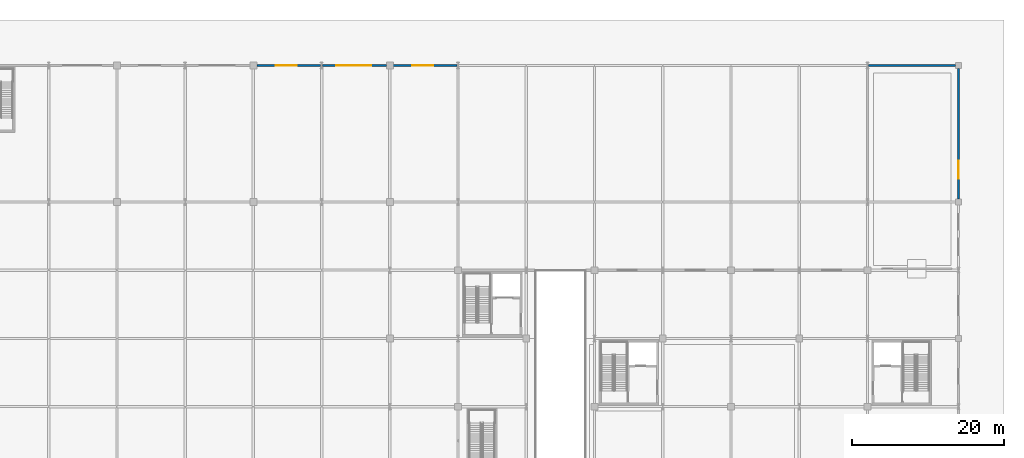
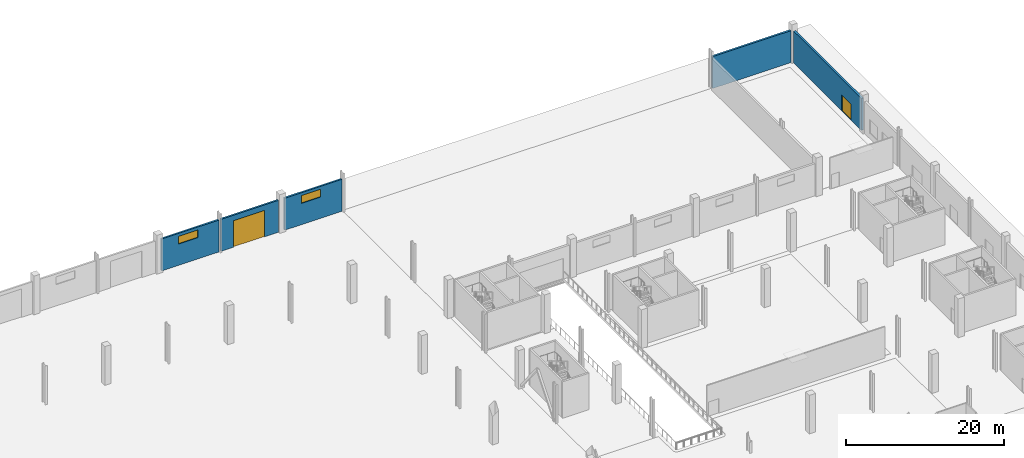
# One storey, part 39 of 58: 5 walls, 2 doors, 2 windows, 4 openings.
"""IFC4 building model written with IfcOpenShell, lengths in metres."""

import ifcopenshell
import ifcopenshell.guid

model = None  # the IFC model being written
_history = None  # IfcOwnerHistory: only IFC2X3 demands one
_inside = {}  # id of a spatial element -> (the spatial element, [elements in it])
_under = {}  # id of a project, library or spatial element -> (it, [spatial elements below it])
_declared = {}  # id of a project -> (the project, [libraries it declares])
_typed = {}  # id of a type object -> (the type object, [elements of that type])
_made_of = {}  # id of a material, layer set ... -> (it, [elements and type objects made of it])


def new_model(schema):
    """Start an empty IFC model of exactly this schema.

    Asked for "IFC4X3", IfcOpenShell would pick the latest addendum, in which some entities
    have other attributes; the version numbers below select the first issue.
    IFC2X3 requires an IfcOwnerHistory on every rooted entity: one is made here for all.
    """
    global model, _history
    if schema == "IFC4X3":
        model = ifcopenshell.file(schema_version=(4, 3, 0, 0))
    else:
        model = ifcopenshell.file(schema=schema)
    _inside.clear()
    _under.clear()
    _declared.clear()
    _typed.clear()
    _made_of.clear()
    _history = None
    if model.schema == "IFC2X3":
        org = make("IfcOrganization", Name="unknown")
        user = make(
            "IfcPersonAndOrganization",
            ThePerson=make("IfcPerson", FamilyName="unknown"),
            TheOrganization=org,
        )
        app = make(
            "IfcApplication",
            ApplicationDeveloper=org,
            Version="unknown",
            ApplicationFullName="unknown",
            ApplicationIdentifier="unknown",
        )
        _history = make(
            "IfcOwnerHistory",
            OwningUser=user,
            OwningApplication=app,
            ChangeAction="ADDED",
            CreationDate=0,
        )
    return model


def make(cls, **values):
    """One entity of the class cls with the attributes given. An attribute that is None is left unset."""
    return model.create_entity(
        cls, **{name: value for name, value in values.items() if value is not None}
    )


def rooted(cls, **values):
    """An entity with a GlobalId (a new one), such as an element, a storey or a relation."""
    return make(cls, GlobalId=ifcopenshell.guid.new(), OwnerHistory=_history, **values)


def si_unit(unit_type, name, prefix=None):
    """IfcSIUnit, for example si_unit("LENGTHUNIT", "METRE", prefix="MILLI")."""
    return make("IfcSIUnit", UnitType=unit_type, Prefix=prefix, Name=name)


def assignment(units):
    """IfcUnitAssignment: the units of a project."""
    return None if units is None else make("IfcUnitAssignment", Units=units)


def point(xyz):
    """IfcCartesianPoint."""
    return None if xyz is None else make("IfcCartesianPoint", Coordinates=xyz)


def direction(xyz):
    """IfcDirection."""
    return None if xyz is None else make("IfcDirection", DirectionRatios=xyz)


def frame(location, z_axis=None, x_axis=None):
    """IfcAxis2Placement3D, a coordinate frame: its origin and axes. An axis left out is left unset."""
    return make(
        "IfcAxis2Placement3D",
        Location=point(location),
        Axis=direction(z_axis),
        RefDirection=direction(x_axis),
    )


def frame_2d(location, x_axis=None):
    """IfcAxis2Placement2D, a coordinate frame in the plane: its origin and x axis."""
    return make(
        "IfcAxis2Placement2D", Location=point(location), RefDirection=direction(x_axis)
    )


def origin():
    """The frame at (0, 0, 0) with its axes left unset."""
    return frame((0.0, 0.0, 0.0))


def place(relative_to, where):
    """IfcLocalPlacement: puts the frame where relative to a parent placement (None: the world)."""
    return make(
        "IfcLocalPlacement", PlacementRelTo=relative_to, RelativePlacement=where
    )


def context(
    kind, dimensions, precision=None, world=None, true_north=None, identifier=None
):
    """IfcGeometricRepresentationContext, for example the 3D "Model" context."""
    return make(
        "IfcGeometricRepresentationContext",
        ContextIdentifier=identifier,
        ContextType=kind,
        CoordinateSpaceDimension=dimensions,
        Precision=precision,
        WorldCoordinateSystem=world,
        TrueNorth=true_north,
    )


def subcontext(parent, identifier, kind, view, scale=None):
    """IfcGeometricRepresentationSubContext, for example "Body" below "Model"."""
    return make(
        "IfcGeometricRepresentationSubContext",
        ContextIdentifier=identifier,
        ContextType=kind,
        ParentContext=parent,
        TargetScale=scale,
        TargetView=view,
    )


def project(units=None, contexts=None):
    """IfcProject with its units and contexts."""
    return rooted(
        "IfcProject",
        Name="project",
        RepresentationContexts=contexts,
        UnitsInContext=assignment(units),
    )


def spatial(cls, under=None, at=None, **own):
    """A site, building, storey or space (cls), placed at a placement, below another one or the project."""
    s = rooted(cls, ObjectPlacement=at, **own)
    if under is not None:
        _under.setdefault(under.id(), (under, []))[1].append(s)
    return s


def profile(cls, at=None, kind="AREA", **sizes):
    """A parametric profile (cls). Its sizes go by their IFC names, for example OverallWidth=200.0."""
    return make(cls, ProfileType=kind, Position=at, **sizes)


def rectangle(**sizes):
    """IfcRectangleProfileDef."""
    return profile("IfcRectangleProfileDef", **sizes)


def extrude(swept, where, along, depth):
    """IfcExtrudedAreaSolid: the profile swept, set in the frame where, extruded along a direction by depth."""
    return make(
        "IfcExtrudedAreaSolid",
        SweptArea=swept,
        Position=where,
        ExtrudedDirection=direction(along),
        Depth=depth,
    )


def shape(context_of_items, identifier, shape_type, items):
    """IfcShapeRepresentation: the items that make up one representation, for example the "Body"."""
    return make(
        "IfcShapeRepresentation",
        ContextOfItems=context_of_items,
        RepresentationIdentifier=identifier,
        RepresentationType=shape_type,
        Items=items,
    )


def material(Name=None, Category=None):
    """IfcMaterial."""
    return make("IfcMaterial", Name=Name, Category=Category)


def layer(
    of_material, thickness, ventilated=None, Name=None, Category=None, Priority=None
):
    """IfcMaterialLayer: one layer of a wall or slab, of a material (None: an air gap)."""
    return make(
        "IfcMaterialLayer",
        Material=of_material,
        LayerThickness=thickness,
        IsVentilated=ventilated,
        Name=Name,
        Category=Category,
        Priority=Priority,
    )


def layer_set(layers, Name=None):
    """IfcMaterialLayerSet."""
    return make("IfcMaterialLayerSet", MaterialLayers=layers, LayerSetName=Name)


def made_of(thing, what):
    """Note that an element or type object is made of a material, layer set ...; save() writes the relation."""
    if what is not None:
        _made_of.setdefault(what.id(), (what, []))[1].append(thing)
    return thing


def type_object(cls, material=None, **own):
    """A type object (cls), such as IfcWallType, which elements share."""
    return made_of(rooted(cls, **own), material)


def element(
    cls,
    number,
    at=None,
    inside=None,
    cuts=None,
    type_object=None,
    material=None,
    context=None,
    identifier="Body",
    shape_type=None,
    held_by="IfcProductDefinitionShape",
    body=None,
    shapes=None,
    **own,
):
    """One element of the class cls, such as IfcWall. Its Tag is "e" and its number.

    at: its placement. inside: the storey or other place that contains it. cuts: it is an
    opening in that element (IfcRelVoidsElement). A single representation is given by context,
    identifier, shape_type and body (its items); several are given by shapes. held_by: the class
    of the entity that holds the representations. save() writes the other relations.
    """
    e = rooted(cls, Tag="e%d" % number, ObjectPlacement=at, **own)
    if body is not None:
        shapes = [shape(context, identifier, shape_type, body)]
    if shapes is not None:
        e.Representation = make(held_by, Representations=shapes)
    if inside is not None:
        _inside.setdefault(inside.id(), (inside, []))[1].append(e)
    if cuts is not None:
        rooted(
            "IfcRelVoidsElement", RelatingBuildingElement=cuts, RelatedOpeningElement=e
        )
    if type_object is not None:
        _typed.setdefault(type_object.id(), (type_object, []))[1].append(e)
    return made_of(e, material)


def fill(opening, filler):
    """IfcRelFillsElement: the door or window that sits in an opening."""
    return rooted(
        "IfcRelFillsElement",
        RelatingOpeningElement=opening,
        RelatedBuildingElement=filler,
    )


def aggregate(whole, parts):
    """IfcRelAggregates: a whole, such as a stair, and the parts it consists of."""
    return rooted("IfcRelAggregates", RelatingObject=whole, RelatedObjects=parts)


def save(model, path):
    """Write the relations noted so far, then the file.

    IfcRelAggregates (storeys below a building ...), IfcRelContainedInSpatialStructure (elements
    in a storey), IfcRelDefinesByType, IfcRelAssociatesMaterial and IfcRelDeclares: one each for
    every whole, place, type object, material and project.
    """
    for whole, parts in _under.values():
        aggregate(whole, parts)
    for where, things in _inside.values():
        rooted(
            "IfcRelContainedInSpatialStructure",
            RelatedElements=things,
            RelatingStructure=where,
        )
    for kind, things in _typed.values():
        rooted("IfcRelDefinesByType", RelatedObjects=things, RelatingType=kind)
    for what, things in _made_of.values():
        rooted("IfcRelAssociatesMaterial", RelatedObjects=things, RelatingMaterial=what)
    for by, libraries in _declared.values():
        rooted("IfcRelDeclares", RelatingContext=by, RelatedDefinitions=libraries)
    model.write(path)


model = new_model("IFC4")

# Units and contexts
model_context = context("Model", 3, precision=1e-05, world=origin(), true_north=direction((0.0, 1.0)))
body_context = subcontext(model_context, "Body", "Model", "MODEL_VIEW")
ifc_project = project(units=[si_unit("LENGTHUNIT", "METRE"), si_unit("AREAUNIT", "SQUARE_METRE"), si_unit("VOLUMEUNIT", "CUBIC_METRE"), si_unit("PLANEANGLEUNIT", "RADIAN"), si_unit("MASSUNIT", "GRAM", prefix="KILO")], contexts=[model_context])

# Site, building, storey
site_placement = place(None, origin())
site = spatial("IfcSite", under=ifc_project, at=site_placement, CompositionType="ELEMENT")
building_placement = place(site_placement, origin())
building = spatial("IfcBuilding", under=site, at=building_placement, Name="Barlavento Convention Centre", CompositionType="ELEMENT")
storey_placement = place(building_placement, origin())
storey = spatial("IfcBuildingStorey", under=building, at=storey_placement, Name="L00", CompositionType="ELEMENT", Elevation=0.0)

# Wall, opening, window
ifc_material_1 = material(Name="Acoustic masonry and PVDF aluminium rainscreen", Category="masonry")
ifc_layer_1 = layer(ifc_material_1, 0.264892578125)
ifc_layer_set_1 = layer_set([ifc_layer_1], Name="ARC-WL-EXT-265")
wall_type_1 = type_object("IfcWallType", Name="ARC-WL-EXT-265", PredefinedType="SOLIDWALL", material=ifc_layer_set_1)
wall_1_placement = place(storey_placement, frame((99.445068359375, 135.0, 0.0), z_axis=(0.0, 0.0, 1.0), x_axis=(1.0, 0.0, 0.0)))
wall_1 = element("IfcWall", 1, at=wall_1_placement, inside=storey, type_object=wall_type_1, Name="L00 exterior wall EW03", PredefinedType="SOLIDWALL", context=body_context, shape_type="SweptSolid", body=[
    extrude(rectangle(XDim=8.408447265625, YDim=0.264892578125, at=frame_2d((4.2041015625, 0.0))), origin(), (0.0, 0.0, 1.0), 4.949951171875),
])
opening_1_placement = place(wall_1_placement, frame((2.5048828125, 0.0, 3.300048828125)))
opening_1 = element("IfcOpeningElement", 2, at=opening_1_placement, cuts=wall_1, Name="Opening WN16", PredefinedType="OPENING", context=body_context, shape_type="SweptSolid", body=[
    extrude(rectangle(XDim=2.800048828125, YDim=1.199951171875, at=frame_2d((1.39990234375, 0.60009765625))), frame((0.0, 0.142333984375, 0.0), z_axis=(0.0, -1.0, 0.0), x_axis=(1.0, 0.0, 0.0)), (0.0, 0.0, 1.0), 0.284912109375),
])
ifc_material_2 = material(Name="Double-silver Low-E insulated glass", Category="glass")
window_type = type_object("IfcWindowType", Name="ARC-WN-CLER-2800X1200", PartitioningType="DOUBLE_PANEL_VERTICAL", PredefinedType="WINDOW", material=ifc_material_2)
window_1_placement = place(opening_1_placement, origin())
window_1 = element("IfcWindow", 3, at=window_1_placement, inside=storey, type_object=window_type, Name="L00 exterior Low-E window WN16", OverallHeight=1.199951171875, OverallWidth=2.800048828125, PartitioningType="SINGLE_PANEL", PredefinedType="WINDOW", context=body_context, shape_type="SweptSolid", body=[
    extrude(rectangle(XDim=2.800048828125, YDim=1.199951171875, at=frame_2d((1.39990234375, 0.60009765625))), frame((0.0, 0.030029296875, 0.0), z_axis=(0.0, -1.0, 0.0), x_axis=(1.0, 0.0, 0.0)), (0.0, 0.0, 1.0), 0.06005859375),
])
fill(opening_1, window_1)

# Wall, opening, door
wall_2_placement = place(storey_placement, frame((108.146484375, 135.0, 0.0), z_axis=(0.0, 0.0, 1.0), x_axis=(1.0, 0.0, 0.0)))
wall_2 = element("IfcWall", 4, at=wall_2_placement, inside=storey, type_object=wall_type_1, Name="L00 exterior wall EW03", PredefinedType="SOLIDWALL", context=body_context, shape_type="SweptSolid", body=[
    extrude(rectangle(XDim=8.408447265625, YDim=0.264892578125, at=frame_2d((4.2041015625, 0.0))), origin(), (0.0, 0.0, 1.0), 4.949951171875),
])
opening_2_placement = place(wall_2_placement, frame((1.803466796875, 0.0, 0.0)))
opening_2 = element("IfcOpeningElement", 5, at=opening_2_placement, cuts=wall_2, Name="Opening VG-07", PredefinedType="OPENING", context=body_context, shape_type="SweptSolid", body=[
    extrude(rectangle(XDim=4.60009765625, YDim=4.10009765625, at=frame_2d((2.300048828125, 2.050048828125))), frame((0.0, 0.142333984375, 0.0), z_axis=(0.0, -1.0, 0.0), x_axis=(1.0, 0.0, 0.0)), (0.0, 0.0, 1.0), 0.284912109375),
])
ifc_material_3 = material(Name="Painted galvanized steel", Category="steel")
door_type_1 = type_object("IfcDoorType", Name="ARC-DR-VGATE-4600X4100", OperationType="ROLLINGUP", PredefinedType="GATE", material=ifc_material_3)
door_1_placement = place(opening_2_placement, origin())
door_1 = element("IfcDoor", 6, at=door_1_placement, inside=storey, type_object=door_type_1, Name="DR-EXT-L00-0057 Exhibition heavy lorry freight roller shutter VG-07", OperationType="ROLLINGUP", OverallHeight=4.10009765625, OverallWidth=4.60009765625, PredefinedType="GATE", context=body_context, shape_type="SweptSolid", body=[
    extrude(rectangle(XDim=4.60009765625, YDim=4.10009765625, at=frame_2d((2.300048828125, 2.050048828125))), frame((0.0, 0.02490234375, 0.0), z_axis=(0.0, -1.0, 0.0), x_axis=(1.0, 0.0, 0.0)), (0.0, 0.0, 1.0), 0.050048828125),
])
fill(opening_2, door_1)

# Wall, opening, window
wall_3_placement = place(storey_placement, frame((117.445068359375, 135.0, 0.0), z_axis=(0.0, 0.0, 1.0), x_axis=(1.0, 0.0, 0.0)))
wall_3 = element("IfcWall", 7, at=wall_3_placement, inside=storey, type_object=wall_type_1, Name="L00 exterior wall EW03", PredefinedType="SOLIDWALL", context=body_context, shape_type="SweptSolid", body=[
    extrude(rectangle(XDim=8.408447265625, YDim=0.264892578125, at=frame_2d((4.2041015625, 0.0))), origin(), (0.0, 0.0, 1.0), 4.949951171875),
])
opening_3_placement = place(wall_3_placement, frame((2.5048828125, 0.0, 3.300048828125)))
opening_3 = element("IfcOpeningElement", 8, at=opening_3_placement, cuts=wall_3, Name="Opening WN16", PredefinedType="OPENING", context=body_context, shape_type="SweptSolid", body=[
    extrude(rectangle(XDim=2.800048828125, YDim=1.199951171875, at=frame_2d((1.39990234375, 0.60009765625))), frame((0.0, 0.142333984375, 0.0), z_axis=(0.0, -1.0, 0.0), x_axis=(1.0, 0.0, 0.0)), (0.0, 0.0, 1.0), 0.284912109375),
])
window_2_placement = place(opening_3_placement, origin())
window_2 = element("IfcWindow", 9, at=window_2_placement, inside=storey, type_object=window_type, Name="L00 exterior Low-E window WN16", OverallHeight=1.199951171875, OverallWidth=2.800048828125, PartitioningType="SINGLE_PANEL", PredefinedType="WINDOW", context=body_context, shape_type="SweptSolid", body=[
    extrude(rectangle(XDim=2.800048828125, YDim=1.199951171875, at=frame_2d((1.39990234375, 0.60009765625))), frame((0.0, 0.030029296875, 0.0), z_axis=(0.0, -1.0, 0.0), x_axis=(1.0, 0.0, 0.0)), (0.0, 0.0, 1.0), 0.06005859375),
])
fill(opening_3, window_2)

# Wall, opening, door
ifc_material_4 = material(Name="Glazed white architectural terracotta on Concrete C40/50", Category="masonry")
ifc_layer_2 = layer(ifc_material_4, 0.2900390625)
ifc_layer_set_2 = layer_set([ifc_layer_2], Name="ARC-WL-EXT-290")
wall_type_2 = type_object("IfcWallType", Name="ARC-WL-EXT-290", PredefinedType="SOLIDWALL", material=ifc_layer_set_2)
wall_4_placement = place(storey_placement, frame((192.0, 117.39501953125, 0.0), z_axis=(0.0, 0.0, 1.0), x_axis=(0.0, 1.0, 0.0)))
wall_4 = element("IfcWall", 10, at=wall_4_placement, inside=storey, type_object=wall_type_2, Name="L00 exterior wall EW02", PredefinedType="SOLIDWALL", context=body_context, shape_type="SweptSolid", body=[
    extrude(rectangle(XDim=17.2099609375, YDim=0.2900390625, at=frame_2d((8.60498046875, 0.0))), origin(), (0.0, 0.0, 1.0), 4.949951171875),
])
opening_4_placement = place(wall_4_placement, frame((2.655029296875, 0.0, 0.0)))
opening_4 = element("IfcOpeningElement", 11, at=opening_4_placement, cuts=wall_4, Name="Opening EX-50", PredefinedType="OPENING", context=body_context, shape_type="SweptSolid", body=[
    extrude(rectangle(XDim=2.39990234375, YDim=2.449951171875, at=frame_2d((1.199951171875, 1.22509765625))), frame((0.0, 0.155029296875, 0.0), z_axis=(0.0, -1.0, 0.0), x_axis=(1.0, 0.0, 0.0)), (0.0, 0.0, 1.0), 0.31005859375),
])
ifc_material_5 = material(Name="Anodized aluminium and tempered glass", Category="aluminium")
door_type_2 = type_object("IfcDoorType", Name="ARC-DR-EXIT-2400X2450", OperationType="DOUBLE_DOOR_SINGLE_SWING", PredefinedType="DOOR", material=ifc_material_5)
door_2_placement = place(opening_4_placement, origin())
door_2 = element("IfcDoor", 12, at=door_2_placement, inside=storey, type_object=door_type_2, Name="DR-EXT-L00-0050 East street pedestrian exit door EX-50", OperationType="DOUBLE_DOOR_SINGLE_SWING", OverallHeight=2.449951171875, OverallWidth=2.39990234375, PredefinedType="DOOR", context=body_context, shape_type="SweptSolid", body=[
    extrude(rectangle(XDim=2.39990234375, YDim=2.449951171875, at=frame_2d((1.199951171875, 1.22509765625))), frame((0.0, 0.02490234375, 0.0), z_axis=(0.0, -1.0, 0.0), x_axis=(1.0, 0.0, 0.0)), (0.0, 0.0, 1.0), 0.050048828125),
])
fill(opening_4, door_2)

# Wall
wall_5_placement = place(storey_placement, frame((180.146484375, 135.0, 0.0), z_axis=(0.0, 0.0, 1.0), x_axis=(1.0, 0.0, 0.0)))
element("IfcWall", 13, at=wall_5_placement, inside=storey, type_object=wall_type_2, Name="L00 exterior wall EW02", PredefinedType="SOLIDWALL", context=body_context, shape_type="SweptSolid", body=[
    extrude(rectangle(XDim=11.45849609375, YDim=0.2900390625, at=frame_2d((5.729248046875, 0.0))), origin(), (0.0, 0.0, 1.0), 4.949951171875),
])

save(model, "model.ifc")
